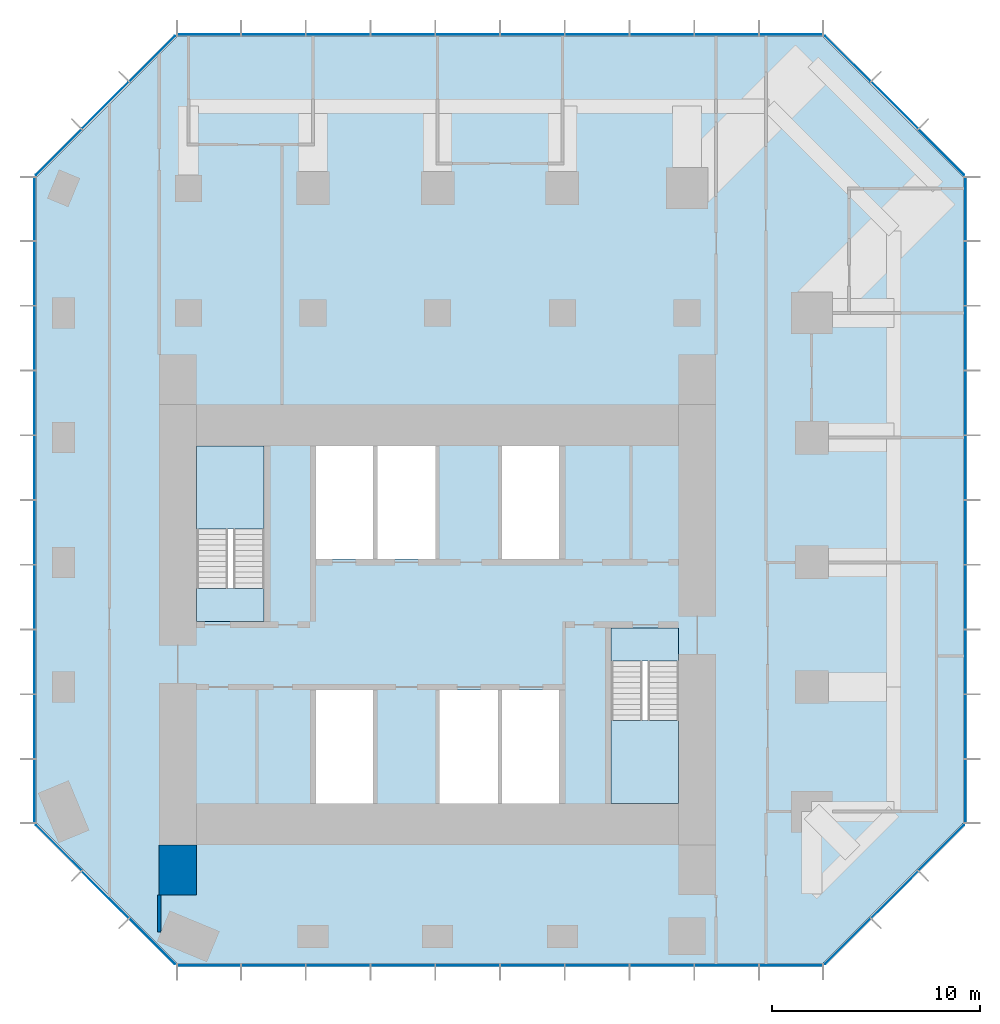
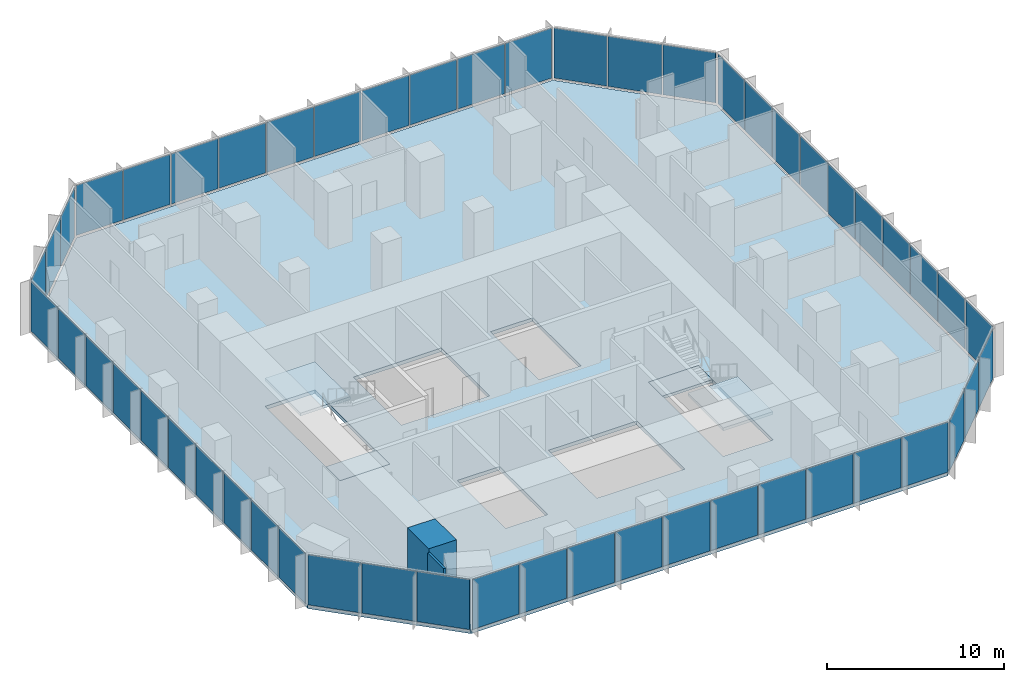
# One storey, part 7 of 11: 52 plates, 5 slabs, 2 walls, 10 elements without a shape of their own.
"""IFC4 building model written with IfcOpenShell, lengths in metres."""

from ifc_helpers import new_model, si_unit, direction, frame, frame_2d, origin, origin_2d, place, context, subcontext, project, spatial, polyline, rectangle, outline, extrude, material, layer, layer_set, type_object, element, aggregate, save


model = new_model("IFC4")

# Units and contexts
model_context = context("Model", 3, precision=1e-05, world=origin(), true_north=direction((0.0, 1.0)))
body_context = subcontext(model_context, "Body", "Model", "MODEL_VIEW")
ifc_project = project(units=[si_unit("LENGTHUNIT", "METRE"), si_unit("AREAUNIT", "SQUARE_METRE"), si_unit("VOLUMEUNIT", "CUBIC_METRE"), si_unit("PLANEANGLEUNIT", "RADIAN"), si_unit("MASSUNIT", "GRAM", prefix="KILO")], contexts=[model_context])

# Site, building, storey
site_placement = place(None, origin())
site = spatial("IfcSite", under=ifc_project, at=site_placement, CompositionType="ELEMENT")
building_placement = place(site_placement, origin())
building = spatial("IfcBuilding", under=site, at=building_placement, Name="Highveld Stack Headquarters", CompositionType="ELEMENT")
storey_placement = place(building_placement, frame((0.0, 0.0, 169.39990234375)))
storey = spatial("IfcBuildingStorey", under=building, at=storey_placement, Name="L41", CompositionType="ELEMENT", Elevation=169.39990234375)

# Curtain wall, plates
ifc_material_1 = material(Name="Aluminium bronze anodised", Category="aluminium")
ifc_layer_1 = layer(ifc_material_1, 0.199951171875)
ifc_layer_set_1 = layer_set([ifc_layer_1], Name="Aluminium bronze anodised")
curtain_wall_type = type_object("IfcCurtainWallType", Name="CW6 SKY LOBBY UNITISED CURTAIN WALL", PredefinedType="NOTDEFINED", material=ifc_layer_set_1)
curtain_wall_1_placement = place(storey_placement, origin())
curtain_wall_1 = element("IfcCurtainWall", 1, at=curtain_wall_1_placement, inside=storey, type_object=curtain_wall_type, Name="Curtain wall CW6 L41 S", PredefinedType="NOTDEFINED")
ifc_material_2 = material(Name="Glass clear low-iron double glazed unit", Category="glass")
ifc_layer_2 = layer(ifc_material_2, 0.031982421875)
ifc_layer_set_2 = layer_set([ifc_layer_2], Name="Glass clear low-iron double glazed unit")
plate_type = type_object("IfcPlateType", Name="CW6 PANEL CLEAR LOW-IRON DOUBLE GLAZED UNIT", PredefinedType="CURTAIN_PANEL", material=ifc_layer_set_2)
plate_1_placement = place(storey_placement, frame((-5.005615234375, -13.39990234375, 0.10009765625), z_axis=(0.0, 0.0, 1.0), x_axis=(1.0, 0.0, 0.0)))
plate_1 = element("IfcPlate", 2, at=plate_1_placement, type_object=plate_type, Name="CW6 panel L41 1.1", PredefinedType="CURTAIN_PANEL", context=body_context, shape_type="SweptSolid", body=[
    extrude(rectangle(XDim=3.0185546875, YDim=0.031982421875, at=origin_2d()), origin(), (0.0, 0.0, 1.0), 3.449951171875),
])
plate_2_placement = place(storey_placement, frame((-1.906005859375, -13.39990234375, 0.10009765625), z_axis=(0.0, 0.0, 1.0), x_axis=(1.0, 0.0, 0.0)))
plate_2 = element("IfcPlate", 3, at=plate_2_placement, type_object=plate_type, Name="CW6 panel L41 2.1", PredefinedType="CURTAIN_PANEL", context=body_context, shape_type="SweptSolid", body=[
    extrude(rectangle(XDim=3.051025390625, YDim=0.031982421875, at=origin_2d()), origin(), (0.0, 0.0, 1.0), 3.449951171875),
])
plate_3_placement = place(storey_placement, frame((1.2099609375, -13.39990234375, 0.10009765625), z_axis=(0.0, 0.0, 1.0), x_axis=(1.0, 0.0, 0.0)))
plate_3 = element("IfcPlate", 4, at=plate_3_placement, type_object=plate_type, Name="CW6 panel L41 3.1", PredefinedType="CURTAIN_PANEL", context=body_context, shape_type="SweptSolid", body=[
    extrude(rectangle(XDim=3.051025390625, YDim=0.031982421875, at=origin_2d()), origin(), (0.0, 0.0, 1.0), 3.449951171875),
])
plate_4_placement = place(storey_placement, frame((4.325927734375, -13.39990234375, 0.10009765625), z_axis=(0.0, 0.0, 1.0), x_axis=(1.0, 0.0, 0.0)))
plate_4 = element("IfcPlate", 5, at=plate_4_placement, type_object=plate_type, Name="CW6 panel L41 4.1", PredefinedType="CURTAIN_PANEL", context=body_context, shape_type="SweptSolid", body=[
    extrude(rectangle(XDim=3.051025390625, YDim=0.031982421875, at=origin_2d()), origin(), (0.0, 0.0, 1.0), 3.449951171875),
])
plate_5_placement = place(storey_placement, frame((7.44189453125, -13.39990234375, 0.10009765625), z_axis=(0.0, 0.0, 1.0), x_axis=(1.0, 0.0, 0.0)))
plate_5 = element("IfcPlate", 6, at=plate_5_placement, type_object=plate_type, Name="CW6 panel L41 5.1", PredefinedType="CURTAIN_PANEL", context=body_context, shape_type="SweptSolid", body=[
    extrude(rectangle(XDim=3.051025390625, YDim=0.031982421875, at=origin_2d()), origin(), (0.0, 0.0, 1.0), 3.449951171875),
])
plate_6_placement = place(storey_placement, frame((10.55810546875, -13.39990234375, 0.10009765625), z_axis=(0.0, 0.0, 1.0), x_axis=(1.0, 0.0, 0.0)))
plate_6 = element("IfcPlate", 7, at=plate_6_placement, type_object=plate_type, Name="CW6 panel L41 6.1", PredefinedType="CURTAIN_PANEL", context=body_context, shape_type="SweptSolid", body=[
    extrude(rectangle(XDim=3.051025390625, YDim=0.031982421875, at=origin_2d()), origin(), (0.0, 0.0, 1.0), 3.449951171875),
])
plate_7_placement = place(storey_placement, frame((13.674072265625, -13.39990234375, 0.10009765625), z_axis=(0.0, 0.0, 1.0), x_axis=(1.0, 0.0, 0.0)))
plate_7 = element("IfcPlate", 8, at=plate_7_placement, type_object=plate_type, Name="CW6 panel L41 7.1", PredefinedType="CURTAIN_PANEL", context=body_context, shape_type="SweptSolid", body=[
    extrude(rectangle(XDim=3.051025390625, YDim=0.031982421875, at=origin_2d()), origin(), (0.0, 0.0, 1.0), 3.449951171875),
])
plate_8_placement = place(storey_placement, frame((16.789794921875, -13.39990234375, 0.10009765625), z_axis=(0.0, 0.0, 1.0), x_axis=(1.0, 0.0, 0.0)))
plate_8 = element("IfcPlate", 9, at=plate_8_placement, type_object=plate_type, Name="CW6 panel L41 8.1", PredefinedType="CURTAIN_PANEL", context=body_context, shape_type="SweptSolid", body=[
    extrude(rectangle(XDim=3.051025390625, YDim=0.031982421875, at=origin_2d()), origin(), (0.0, 0.0, 1.0), 3.449951171875),
])
plate_9_placement = place(storey_placement, frame((19.906005859375, -13.39990234375, 0.10009765625), z_axis=(0.0, 0.0, 1.0), x_axis=(1.0, 0.0, 0.0)))
plate_9 = element("IfcPlate", 10, at=plate_9_placement, type_object=plate_type, Name="CW6 panel L41 9.1", PredefinedType="CURTAIN_PANEL", context=body_context, shape_type="SweptSolid", body=[
    extrude(rectangle(XDim=3.051025390625, YDim=0.031982421875, at=origin_2d()), origin(), (0.0, 0.0, 1.0), 3.449951171875),
])
plate_10_placement = place(storey_placement, frame((23.005615234375, -13.39990234375, 0.10009765625), z_axis=(0.0, 0.0, 1.0), x_axis=(1.0, 0.0, 0.0)))
plate_10 = element("IfcPlate", 11, at=plate_10_placement, type_object=plate_type, Name="CW6 panel L41 10.1", PredefinedType="CURTAIN_PANEL", context=body_context, shape_type="SweptSolid", body=[
    extrude(rectangle(XDim=3.0185546875, YDim=0.031982421875, at=origin_2d()), origin(), (0.0, 0.0, 1.0), 3.449951171875),
])
aggregate(curtain_wall_1, [plate_1, plate_2, plate_3, plate_4, plate_5, plate_6, plate_7, plate_8, plate_9, plate_10])

curtain_wall_2_placement = place(storey_placement, origin())
curtain_wall_2 = element("IfcCurtainWall", 12, at=curtain_wall_2_placement, inside=storey, type_object=curtain_wall_type, Name="Curtain wall CW6 L41 SE", PredefinedType="NOTDEFINED")
plate_11_placement = place(storey_placement, frame((25.740478515625, -12.239501953125, 0.10009765625), z_axis=(0.0, 0.0, 1.0), x_axis=(0.707106781187, 0.707106781187, 0.0)))
plate_11 = element("IfcPlate", 13, at=plate_11_placement, type_object=plate_type, Name="CW6 panel L41 1.1", PredefinedType="CURTAIN_PANEL", context=body_context, shape_type="SweptSolid", body=[
    extrude(rectangle(XDim=3.08251953125, YDim=0.031982421875, at=origin_2d()), origin(), (0.0, 0.0, 1.0), 3.449951171875),
])
plate_12_placement = place(storey_placement, frame((27.989990234375, -9.989990234375, 0.10009765625), z_axis=(0.0, 0.0, 1.0), x_axis=(0.707106781187, 0.707106781187, 0.0)))
plate_12 = element("IfcPlate", 14, at=plate_12_placement, type_object=plate_type, Name="CW6 panel L41 2.1", PredefinedType="CURTAIN_PANEL", context=body_context, shape_type="SweptSolid", body=[
    extrude(rectangle(XDim=3.14990234375, YDim=0.031982421875, at=origin_2d()), origin(), (0.0, 0.0, 1.0), 3.449951171875),
])
plate_13_placement = place(storey_placement, frame((30.239501953125, -7.740478515625, 0.10009765625), z_axis=(0.0, 0.0, 1.0), x_axis=(0.707106781187, 0.707106781187, 0.0)))
plate_13 = element("IfcPlate", 15, at=plate_13_placement, type_object=plate_type, Name="CW6 panel L41 3.1", PredefinedType="CURTAIN_PANEL", context=body_context, shape_type="SweptSolid", body=[
    extrude(rectangle(XDim=3.08251953125, YDim=0.031982421875, at=origin_2d()), origin(), (0.0, 0.0, 1.0), 3.449951171875),
])
aggregate(curtain_wall_2, [plate_11, plate_12, plate_13])

curtain_wall_3_placement = place(storey_placement, origin())
curtain_wall_3 = element("IfcCurtainWall", 16, at=curtain_wall_3_placement, inside=storey, type_object=curtain_wall_type, Name="Curtain wall CW6 L41 E", PredefinedType="NOTDEFINED")
plate_14_placement = place(storey_placement, frame((31.39990234375, -5.005615234375, 0.10009765625), z_axis=(0.0, 0.0, 1.0), x_axis=(0.0, 1.0, 0.0)))
plate_14 = element("IfcPlate", 17, at=plate_14_placement, type_object=plate_type, Name="CW6 panel L41 1.1", PredefinedType="CURTAIN_PANEL", context=body_context, shape_type="SweptSolid", body=[
    extrude(rectangle(XDim=3.0185546875, YDim=0.031982421875, at=origin_2d()), origin(), (0.0, 0.0, 1.0), 3.449951171875),
])
plate_15_placement = place(storey_placement, frame((31.39990234375, -1.906005859375, 0.10009765625), z_axis=(0.0, 0.0, 1.0), x_axis=(0.0, 1.0, 0.0)))
plate_15 = element("IfcPlate", 18, at=plate_15_placement, type_object=plate_type, Name="CW6 panel L41 2.1", PredefinedType="CURTAIN_PANEL", context=body_context, shape_type="SweptSolid", body=[
    extrude(rectangle(XDim=3.051025390625, YDim=0.031982421875, at=origin_2d()), origin(), (0.0, 0.0, 1.0), 3.449951171875),
])
plate_16_placement = place(storey_placement, frame((31.39990234375, 1.2099609375, 0.10009765625), z_axis=(0.0, 0.0, 1.0), x_axis=(0.0, 1.0, 0.0)))
plate_16 = element("IfcPlate", 19, at=plate_16_placement, type_object=plate_type, Name="CW6 panel L41 3.1", PredefinedType="CURTAIN_PANEL", context=body_context, shape_type="SweptSolid", body=[
    extrude(rectangle(XDim=3.051025390625, YDim=0.031982421875, at=origin_2d()), origin(), (0.0, 0.0, 1.0), 3.449951171875),
])
plate_17_placement = place(storey_placement, frame((31.39990234375, 4.325927734375, 0.10009765625), z_axis=(0.0, 0.0, 1.0), x_axis=(0.0, 1.0, 0.0)))
plate_17 = element("IfcPlate", 20, at=plate_17_placement, type_object=plate_type, Name="CW6 panel L41 4.1", PredefinedType="CURTAIN_PANEL", context=body_context, shape_type="SweptSolid", body=[
    extrude(rectangle(XDim=3.051025390625, YDim=0.031982421875, at=origin_2d()), origin(), (0.0, 0.0, 1.0), 3.449951171875),
])
plate_18_placement = place(storey_placement, frame((31.39990234375, 7.44189453125, 0.10009765625), z_axis=(0.0, 0.0, 1.0), x_axis=(0.0, 1.0, 0.0)))
plate_18 = element("IfcPlate", 21, at=plate_18_placement, type_object=plate_type, Name="CW6 panel L41 5.1", PredefinedType="CURTAIN_PANEL", context=body_context, shape_type="SweptSolid", body=[
    extrude(rectangle(XDim=3.051025390625, YDim=0.031982421875, at=origin_2d()), origin(), (0.0, 0.0, 1.0), 3.449951171875),
])
plate_19_placement = place(storey_placement, frame((31.39990234375, 10.55810546875, 0.10009765625), z_axis=(0.0, 0.0, 1.0), x_axis=(0.0, 1.0, 0.0)))
plate_19 = element("IfcPlate", 22, at=plate_19_placement, type_object=plate_type, Name="CW6 panel L41 6.1", PredefinedType="CURTAIN_PANEL", context=body_context, shape_type="SweptSolid", body=[
    extrude(rectangle(XDim=3.051025390625, YDim=0.031982421875, at=origin_2d()), origin(), (0.0, 0.0, 1.0), 3.449951171875),
])
plate_20_placement = place(storey_placement, frame((31.39990234375, 13.674072265625, 0.10009765625), z_axis=(0.0, 0.0, 1.0), x_axis=(0.0, 1.0, 0.0)))
plate_20 = element("IfcPlate", 23, at=plate_20_placement, type_object=plate_type, Name="CW6 panel L41 7.1", PredefinedType="CURTAIN_PANEL", context=body_context, shape_type="SweptSolid", body=[
    extrude(rectangle(XDim=3.051025390625, YDim=0.031982421875, at=origin_2d()), origin(), (0.0, 0.0, 1.0), 3.449951171875),
])
plate_21_placement = place(storey_placement, frame((31.39990234375, 16.789794921875, 0.10009765625), z_axis=(0.0, 0.0, 1.0), x_axis=(0.0, 1.0, 0.0)))
plate_21 = element("IfcPlate", 24, at=plate_21_placement, type_object=plate_type, Name="CW6 panel L41 8.1", PredefinedType="CURTAIN_PANEL", context=body_context, shape_type="SweptSolid", body=[
    extrude(rectangle(XDim=3.051025390625, YDim=0.031982421875, at=origin_2d()), origin(), (0.0, 0.0, 1.0), 3.449951171875),
])
plate_22_placement = place(storey_placement, frame((31.39990234375, 19.906005859375, 0.10009765625), z_axis=(0.0, 0.0, 1.0), x_axis=(0.0, 1.0, 0.0)))
plate_22 = element("IfcPlate", 25, at=plate_22_placement, type_object=plate_type, Name="CW6 panel L41 9.1", PredefinedType="CURTAIN_PANEL", context=body_context, shape_type="SweptSolid", body=[
    extrude(rectangle(XDim=3.051025390625, YDim=0.031982421875, at=origin_2d()), origin(), (0.0, 0.0, 1.0), 3.449951171875),
])
plate_23_placement = place(storey_placement, frame((31.39990234375, 23.005615234375, 0.10009765625), z_axis=(0.0, 0.0, 1.0), x_axis=(0.0, 1.0, 0.0)))
plate_23 = element("IfcPlate", 26, at=plate_23_placement, type_object=plate_type, Name="CW6 panel L41 10.1", PredefinedType="CURTAIN_PANEL", context=body_context, shape_type="SweptSolid", body=[
    extrude(rectangle(XDim=3.0185546875, YDim=0.031982421875, at=origin_2d()), origin(), (0.0, 0.0, 1.0), 3.449951171875),
])
aggregate(curtain_wall_3, [plate_14, plate_15, plate_16, plate_17, plate_18, plate_19, plate_20, plate_21, plate_22, plate_23])

curtain_wall_4_placement = place(storey_placement, origin())
curtain_wall_4 = element("IfcCurtainWall", 27, at=curtain_wall_4_placement, inside=storey, type_object=curtain_wall_type, Name="Curtain wall CW6 L41 NE", PredefinedType="NOTDEFINED")
plate_24_placement = place(storey_placement, frame((30.239501953125, 25.740478515625, 0.10009765625), z_axis=(0.0, 0.0, 1.0), x_axis=(-0.707106781187, 0.707106781187, 0.0)))
plate_24 = element("IfcPlate", 28, at=plate_24_placement, type_object=plate_type, Name="CW6 panel L41 1.1", PredefinedType="CURTAIN_PANEL", context=body_context, shape_type="SweptSolid", body=[
    extrude(rectangle(XDim=3.08251953125, YDim=0.031982421875, at=origin_2d()), origin(), (0.0, 0.0, 1.0), 3.449951171875),
])
plate_25_placement = place(storey_placement, frame((27.989990234375, 27.989990234375, 0.10009765625), z_axis=(0.0, 0.0, 1.0), x_axis=(-0.707106781187, 0.707106781187, 0.0)))
plate_25 = element("IfcPlate", 29, at=plate_25_placement, type_object=plate_type, Name="CW6 panel L41 2.1", PredefinedType="CURTAIN_PANEL", context=body_context, shape_type="SweptSolid", body=[
    extrude(rectangle(XDim=3.14990234375, YDim=0.031982421875, at=origin_2d()), origin(), (0.0, 0.0, 1.0), 3.449951171875),
])
plate_26_placement = place(storey_placement, frame((25.740478515625, 30.239501953125, 0.10009765625), z_axis=(0.0, 0.0, 1.0), x_axis=(-0.707106781187, 0.707106781187, 0.0)))
plate_26 = element("IfcPlate", 30, at=plate_26_placement, type_object=plate_type, Name="CW6 panel L41 3.1", PredefinedType="CURTAIN_PANEL", context=body_context, shape_type="SweptSolid", body=[
    extrude(rectangle(XDim=3.08251953125, YDim=0.031982421875, at=origin_2d()), origin(), (0.0, 0.0, 1.0), 3.449951171875),
])
aggregate(curtain_wall_4, [plate_24, plate_25, plate_26])

curtain_wall_5_placement = place(storey_placement, origin())
curtain_wall_5 = element("IfcCurtainWall", 31, at=curtain_wall_5_placement, inside=storey, type_object=curtain_wall_type, Name="Curtain wall CW6 L41 N", PredefinedType="NOTDEFINED")
plate_27_placement = place(storey_placement, frame((23.005615234375, 31.39990234375, 0.10009765625), z_axis=(0.0, 0.0, 1.0), x_axis=(-1.0, 0.0, 0.0)))
plate_27 = element("IfcPlate", 32, at=plate_27_placement, type_object=plate_type, Name="CW6 panel L41 1.1", PredefinedType="CURTAIN_PANEL", context=body_context, shape_type="SweptSolid", body=[
    extrude(rectangle(XDim=3.0185546875, YDim=0.031982421875, at=origin_2d()), origin(), (0.0, 0.0, 1.0), 3.449951171875),
])
plate_28_placement = place(storey_placement, frame((19.906005859375, 31.39990234375, 0.10009765625), z_axis=(0.0, 0.0, 1.0), x_axis=(-1.0, 0.0, 0.0)))
plate_28 = element("IfcPlate", 33, at=plate_28_placement, type_object=plate_type, Name="CW6 panel L41 2.1", PredefinedType="CURTAIN_PANEL", context=body_context, shape_type="SweptSolid", body=[
    extrude(rectangle(XDim=3.051025390625, YDim=0.031982421875, at=origin_2d()), origin(), (0.0, 0.0, 1.0), 3.449951171875),
])
plate_29_placement = place(storey_placement, frame((16.7900390625, 31.39990234375, 0.10009765625), z_axis=(0.0, 0.0, 1.0), x_axis=(-1.0, 0.0, 0.0)))
plate_29 = element("IfcPlate", 34, at=plate_29_placement, type_object=plate_type, Name="CW6 panel L41 3.1", PredefinedType="CURTAIN_PANEL", context=body_context, shape_type="SweptSolid", body=[
    extrude(rectangle(XDim=3.051025390625, YDim=0.031982421875, at=origin_2d()), origin(), (0.0, 0.0, 1.0), 3.449951171875),
])
plate_30_placement = place(storey_placement, frame((13.674072265625, 31.39990234375, 0.10009765625), z_axis=(0.0, 0.0, 1.0), x_axis=(-1.0, 0.0, 0.0)))
plate_30 = element("IfcPlate", 35, at=plate_30_placement, type_object=plate_type, Name="CW6 panel L41 4.1", PredefinedType="CURTAIN_PANEL", context=body_context, shape_type="SweptSolid", body=[
    extrude(rectangle(XDim=3.051025390625, YDim=0.031982421875, at=origin_2d()), origin(), (0.0, 0.0, 1.0), 3.449951171875),
])
plate_31_placement = place(storey_placement, frame((10.55810546875, 31.39990234375, 0.10009765625), z_axis=(0.0, 0.0, 1.0), x_axis=(-1.0, 0.0, 0.0)))
plate_31 = element("IfcPlate", 36, at=plate_31_placement, type_object=plate_type, Name="CW6 panel L41 5.1", PredefinedType="CURTAIN_PANEL", context=body_context, shape_type="SweptSolid", body=[
    extrude(rectangle(XDim=3.051025390625, YDim=0.031982421875, at=origin_2d()), origin(), (0.0, 0.0, 1.0), 3.449951171875),
])
plate_32_placement = place(storey_placement, frame((7.44189453125, 31.39990234375, 0.10009765625), z_axis=(0.0, 0.0, 1.0), x_axis=(-1.0, 0.0, 0.0)))
plate_32 = element("IfcPlate", 37, at=plate_32_placement, type_object=plate_type, Name="CW6 panel L41 6.1", PredefinedType="CURTAIN_PANEL", context=body_context, shape_type="SweptSolid", body=[
    extrude(rectangle(XDim=3.051025390625, YDim=0.031982421875, at=origin_2d()), origin(), (0.0, 0.0, 1.0), 3.449951171875),
])
plate_33_placement = place(storey_placement, frame((4.325927734375, 31.39990234375, 0.10009765625), z_axis=(0.0, 0.0, 1.0), x_axis=(-1.0, 0.0, 0.0)))
plate_33 = element("IfcPlate", 38, at=plate_33_placement, type_object=plate_type, Name="CW6 panel L41 7.1", PredefinedType="CURTAIN_PANEL", context=body_context, shape_type="SweptSolid", body=[
    extrude(rectangle(XDim=3.051025390625, YDim=0.031982421875, at=origin_2d()), origin(), (0.0, 0.0, 1.0), 3.449951171875),
])
plate_34_placement = place(storey_placement, frame((1.210205078125, 31.39990234375, 0.10009765625), z_axis=(0.0, 0.0, 1.0), x_axis=(-1.0, 0.0, 0.0)))
plate_34 = element("IfcPlate", 39, at=plate_34_placement, type_object=plate_type, Name="CW6 panel L41 8.1", PredefinedType="CURTAIN_PANEL", context=body_context, shape_type="SweptSolid", body=[
    extrude(rectangle(XDim=3.051025390625, YDim=0.031982421875, at=origin_2d()), origin(), (0.0, 0.0, 1.0), 3.449951171875),
])
plate_35_placement = place(storey_placement, frame((-1.906005859375, 31.39990234375, 0.10009765625), z_axis=(0.0, 0.0, 1.0), x_axis=(-1.0, 0.0, 0.0)))
plate_35 = element("IfcPlate", 40, at=plate_35_placement, type_object=plate_type, Name="CW6 panel L41 9.1", PredefinedType="CURTAIN_PANEL", context=body_context, shape_type="SweptSolid", body=[
    extrude(rectangle(XDim=3.051025390625, YDim=0.031982421875, at=origin_2d()), origin(), (0.0, 0.0, 1.0), 3.449951171875),
])
plate_36_placement = place(storey_placement, frame((-5.005615234375, 31.39990234375, 0.10009765625), z_axis=(0.0, 0.0, 1.0), x_axis=(-1.0, 0.0, 0.0)))
plate_36 = element("IfcPlate", 41, at=plate_36_placement, type_object=plate_type, Name="CW6 panel L41 10.1", PredefinedType="CURTAIN_PANEL", context=body_context, shape_type="SweptSolid", body=[
    extrude(rectangle(XDim=3.0185546875, YDim=0.031982421875, at=origin_2d()), origin(), (0.0, 0.0, 1.0), 3.449951171875),
])
aggregate(curtain_wall_5, [plate_27, plate_28, plate_29, plate_30, plate_31, plate_32, plate_33, plate_34, plate_35, plate_36])

curtain_wall_6_placement = place(storey_placement, origin())
curtain_wall_6 = element("IfcCurtainWall", 42, at=curtain_wall_6_placement, inside=storey, type_object=curtain_wall_type, Name="Curtain wall CW6 L41 NW", PredefinedType="NOTDEFINED")
plate_37_placement = place(storey_placement, frame((-7.740478515625, 30.239501953125, 0.10009765625), z_axis=(0.0, 0.0, 1.0), x_axis=(-0.707106781187, -0.707106781187, 0.0)))
plate_37 = element("IfcPlate", 43, at=plate_37_placement, type_object=plate_type, Name="CW6 panel L41 1.1", PredefinedType="CURTAIN_PANEL", context=body_context, shape_type="SweptSolid", body=[
    extrude(rectangle(XDim=3.08251953125, YDim=0.031982421875, at=origin_2d()), origin(), (0.0, 0.0, 1.0), 3.449951171875),
])
plate_38_placement = place(storey_placement, frame((-9.989990234375, 27.989990234375, 0.10009765625), z_axis=(0.0, 0.0, 1.0), x_axis=(-0.707106781187, -0.707106781187, 0.0)))
plate_38 = element("IfcPlate", 44, at=plate_38_placement, type_object=plate_type, Name="CW6 panel L41 2.1", PredefinedType="CURTAIN_PANEL", context=body_context, shape_type="SweptSolid", body=[
    extrude(rectangle(XDim=3.14990234375, YDim=0.031982421875, at=origin_2d()), origin(), (0.0, 0.0, 1.0), 3.449951171875),
])
plate_39_placement = place(storey_placement, frame((-12.239501953125, 25.740478515625, 0.10009765625), z_axis=(0.0, 0.0, 1.0), x_axis=(-0.707106781187, -0.707106781187, 0.0)))
plate_39 = element("IfcPlate", 45, at=plate_39_placement, type_object=plate_type, Name="CW6 panel L41 3.1", PredefinedType="CURTAIN_PANEL", context=body_context, shape_type="SweptSolid", body=[
    extrude(rectangle(XDim=3.08251953125, YDim=0.031982421875, at=origin_2d()), origin(), (0.0, 0.0, 1.0), 3.449951171875),
])
aggregate(curtain_wall_6, [plate_37, plate_38, plate_39])

curtain_wall_7_placement = place(storey_placement, origin())
curtain_wall_7 = element("IfcCurtainWall", 46, at=curtain_wall_7_placement, inside=storey, type_object=curtain_wall_type, Name="Curtain wall CW6 L41 W", PredefinedType="NOTDEFINED")
plate_40_placement = place(storey_placement, frame((-13.39990234375, 23.005615234375, 0.10009765625), z_axis=(0.0, 0.0, 1.0), x_axis=(0.0, -1.0, 0.0)))
plate_40 = element("IfcPlate", 47, at=plate_40_placement, type_object=plate_type, Name="CW6 panel L41 1.1", PredefinedType="CURTAIN_PANEL", context=body_context, shape_type="SweptSolid", body=[
    extrude(rectangle(XDim=3.0185546875, YDim=0.031982421875, at=origin_2d()), origin(), (0.0, 0.0, 1.0), 3.449951171875),
])
plate_41_placement = place(storey_placement, frame((-13.39990234375, 19.906005859375, 0.10009765625), z_axis=(0.0, 0.0, 1.0), x_axis=(0.0, -1.0, 0.0)))
plate_41 = element("IfcPlate", 48, at=plate_41_placement, type_object=plate_type, Name="CW6 panel L41 2.1", PredefinedType="CURTAIN_PANEL", context=body_context, shape_type="SweptSolid", body=[
    extrude(rectangle(XDim=3.051025390625, YDim=0.031982421875, at=origin_2d()), origin(), (0.0, 0.0, 1.0), 3.449951171875),
])
plate_42_placement = place(storey_placement, frame((-13.39990234375, 16.7900390625, 0.10009765625), z_axis=(0.0, 0.0, 1.0), x_axis=(0.0, -1.0, 0.0)))
plate_42 = element("IfcPlate", 49, at=plate_42_placement, type_object=plate_type, Name="CW6 panel L41 3.1", PredefinedType="CURTAIN_PANEL", context=body_context, shape_type="SweptSolid", body=[
    extrude(rectangle(XDim=3.051025390625, YDim=0.031982421875, at=origin_2d()), origin(), (0.0, 0.0, 1.0), 3.449951171875),
])
plate_43_placement = place(storey_placement, frame((-13.39990234375, 13.674072265625, 0.10009765625), z_axis=(0.0, 0.0, 1.0), x_axis=(0.0, -1.0, 0.0)))
plate_43 = element("IfcPlate", 50, at=plate_43_placement, type_object=plate_type, Name="CW6 panel L41 4.1", PredefinedType="CURTAIN_PANEL", context=body_context, shape_type="SweptSolid", body=[
    extrude(rectangle(XDim=3.051025390625, YDim=0.031982421875, at=origin_2d()), origin(), (0.0, 0.0, 1.0), 3.449951171875),
])
plate_44_placement = place(storey_placement, frame((-13.39990234375, 10.55810546875, 0.10009765625), z_axis=(0.0, 0.0, 1.0), x_axis=(0.0, -1.0, 0.0)))
plate_44 = element("IfcPlate", 51, at=plate_44_placement, type_object=plate_type, Name="CW6 panel L41 5.1", PredefinedType="CURTAIN_PANEL", context=body_context, shape_type="SweptSolid", body=[
    extrude(rectangle(XDim=3.051025390625, YDim=0.031982421875, at=origin_2d()), origin(), (0.0, 0.0, 1.0), 3.449951171875),
])
plate_45_placement = place(storey_placement, frame((-13.39990234375, 7.44189453125, 0.10009765625), z_axis=(0.0, 0.0, 1.0), x_axis=(0.0, -1.0, 0.0)))
plate_45 = element("IfcPlate", 52, at=plate_45_placement, type_object=plate_type, Name="CW6 panel L41 6.1", PredefinedType="CURTAIN_PANEL", context=body_context, shape_type="SweptSolid", body=[
    extrude(rectangle(XDim=3.051025390625, YDim=0.031982421875, at=origin_2d()), origin(), (0.0, 0.0, 1.0), 3.449951171875),
])
plate_46_placement = place(storey_placement, frame((-13.39990234375, 4.325927734375, 0.10009765625), z_axis=(0.0, 0.0, 1.0), x_axis=(0.0, -1.0, 0.0)))
plate_46 = element("IfcPlate", 53, at=plate_46_placement, type_object=plate_type, Name="CW6 panel L41 7.1", PredefinedType="CURTAIN_PANEL", context=body_context, shape_type="SweptSolid", body=[
    extrude(rectangle(XDim=3.051025390625, YDim=0.031982421875, at=origin_2d()), origin(), (0.0, 0.0, 1.0), 3.449951171875),
])
plate_47_placement = place(storey_placement, frame((-13.39990234375, 1.210205078125, 0.10009765625), z_axis=(0.0, 0.0, 1.0), x_axis=(0.0, -1.0, 0.0)))
plate_47 = element("IfcPlate", 54, at=plate_47_placement, type_object=plate_type, Name="CW6 panel L41 8.1", PredefinedType="CURTAIN_PANEL", context=body_context, shape_type="SweptSolid", body=[
    extrude(rectangle(XDim=3.051025390625, YDim=0.031982421875, at=origin_2d()), origin(), (0.0, 0.0, 1.0), 3.449951171875),
])
plate_48_placement = place(storey_placement, frame((-13.39990234375, -1.906005859375, 0.10009765625), z_axis=(0.0, 0.0, 1.0), x_axis=(0.0, -1.0, 0.0)))
plate_48 = element("IfcPlate", 55, at=plate_48_placement, type_object=plate_type, Name="CW6 panel L41 9.1", PredefinedType="CURTAIN_PANEL", context=body_context, shape_type="SweptSolid", body=[
    extrude(rectangle(XDim=3.051025390625, YDim=0.031982421875, at=origin_2d()), origin(), (0.0, 0.0, 1.0), 3.449951171875),
])
plate_49_placement = place(storey_placement, frame((-13.39990234375, -5.005615234375, 0.10009765625), z_axis=(0.0, 0.0, 1.0), x_axis=(0.0, -1.0, 0.0)))
plate_49 = element("IfcPlate", 56, at=plate_49_placement, type_object=plate_type, Name="CW6 panel L41 10.1", PredefinedType="CURTAIN_PANEL", context=body_context, shape_type="SweptSolid", body=[
    extrude(rectangle(XDim=3.0185546875, YDim=0.031982421875, at=origin_2d()), origin(), (0.0, 0.0, 1.0), 3.449951171875),
])
aggregate(curtain_wall_7, [plate_40, plate_41, plate_42, plate_43, plate_44, plate_45, plate_46, plate_47, plate_48, plate_49])

curtain_wall_8_placement = place(storey_placement, origin())
curtain_wall_8 = element("IfcCurtainWall", 57, at=curtain_wall_8_placement, inside=storey, type_object=curtain_wall_type, Name="Curtain wall CW6 L41 SW", PredefinedType="NOTDEFINED")
plate_50_placement = place(storey_placement, frame((-12.239501953125, -7.740478515625, 0.10009765625), z_axis=(0.0, 0.0, 1.0), x_axis=(0.707106781187, -0.707106781187, 0.0)))
plate_50 = element("IfcPlate", 58, at=plate_50_placement, type_object=plate_type, Name="CW6 panel L41 1.1", PredefinedType="CURTAIN_PANEL", context=body_context, shape_type="SweptSolid", body=[
    extrude(rectangle(XDim=3.08251953125, YDim=0.031982421875, at=origin_2d()), origin(), (0.0, 0.0, 1.0), 3.449951171875),
])
plate_51_placement = place(storey_placement, frame((-9.989990234375, -9.989990234375, 0.10009765625), z_axis=(0.0, 0.0, 1.0), x_axis=(0.707106781187, -0.707106781187, 0.0)))
plate_51 = element("IfcPlate", 59, at=plate_51_placement, type_object=plate_type, Name="CW6 panel L41 2.1", PredefinedType="CURTAIN_PANEL", context=body_context, shape_type="SweptSolid", body=[
    extrude(rectangle(XDim=3.14990234375, YDim=0.031982421875, at=origin_2d()), origin(), (0.0, 0.0, 1.0), 3.449951171875),
])
plate_52_placement = place(storey_placement, frame((-7.740478515625, -12.239501953125, 0.10009765625), z_axis=(0.0, 0.0, 1.0), x_axis=(0.707106781187, -0.707106781187, 0.0)))
plate_52 = element("IfcPlate", 60, at=plate_52_placement, type_object=plate_type, Name="CW6 panel L41 3.1", PredefinedType="CURTAIN_PANEL", context=body_context, shape_type="SweptSolid", body=[
    extrude(rectangle(XDim=3.08251953125, YDim=0.031982421875, at=origin_2d()), origin(), (0.0, 0.0, 1.0), 3.449951171875),
])
aggregate(curtain_wall_8, [plate_50, plate_51, plate_52])

# Slab
ifc_material_3 = material(Name="Concrete C60/75", Category="concrete")
ifc_layer_3 = layer(ifc_material_3, 0.25)
ifc_layer_set_3 = layer_set([ifc_layer_3], Name="Concrete C60/75")
slab_type_1 = type_object("IfcSlabType", Name="PT FLAT SLAB 250", PredefinedType="FLOOR", material=ifc_layer_set_3)
slab_1_placement = place(storey_placement, frame((0.0, 0.0, -0.25)))
element("IfcSlab", 61, at=slab_1_placement, inside=storey, type_object=slab_type_1, Name="Floor slab L41", PredefinedType="FLOOR", context=body_context, shape_type="SweptSolid", body=[
    extrude(outline(polyline([(-6.53857421875, -13.300048828125), (24.53857421875, -13.300048828125), (31.300048828125, -6.53857421875), (31.300048828125, 24.53857421875), (24.53857421875, 31.300048828125), (-6.53857421875, 31.300048828125), (-13.300048828125, 24.53857421875), (-13.300048828125, -6.53857421875), (-6.53857421875, -13.300048828125)]), holes=[polyline([(0.14990234375, 6.14990234375), (5.89990234375, 6.14990234375), (5.89990234375, 11.60009765625), (0.14990234375, 11.60009765625), (0.14990234375, 6.14990234375)]), polyline([(9.10009765625, 6.14990234375), (11.85009765625, 6.14990234375), (11.85009765625, 11.60009765625), (9.10009765625, 11.60009765625), (9.10009765625, 6.14990234375)]), polyline([(6.10009765625, -5.60009765625), (11.85009765625, -5.60009765625), (11.85009765625, -0.14990234375), (6.10009765625, -0.14990234375), (6.10009765625, -5.60009765625)]), polyline([(0.14990234375, -5.60009765625), (2.89990234375, -5.60009765625), (2.89990234375, -0.14990234375), (0.14990234375, -0.14990234375), (0.14990234375, -5.60009765625)]), polyline([(-5.60009765625, 3.14990234375), (-2.35009765625, 3.14990234375), (-2.35009765625, 11.60009765625), (-5.60009765625, 11.60009765625), (-5.60009765625, 3.14990234375)]), polyline([(14.35009765625, -5.60009765625), (17.60009765625, -5.60009765625), (17.60009765625, 2.85009765625), (14.35009765625, 2.85009765625), (14.35009765625, -5.60009765625)])]), origin(), (0.0, 0.0, 1.0), 0.25),
])

# Stair, slabs
ifc_material_4 = material(Name="Concrete C40/50, precast", Category="concrete")
stair_type_1 = type_object("IfcStairType", Name="STAIR S1 HALF TURN 1500", PredefinedType="HALF_TURN_STAIR", material=ifc_material_4)
stair_1_placement = place(storey_placement, origin())
stair_1 = element("IfcStair", 62, at=stair_1_placement, inside=storey, type_object=stair_type_1, Name="Stair S1 L41", PredefinedType="HALF_TURN_STAIR")
ifc_material_5 = material(Name="Concrete C40/50, precast", Category="concrete")
ifc_layer_4 = layer(ifc_material_5, 0.199951171875)
ifc_layer_set_4 = layer_set([ifc_layer_4], Name="Concrete C40/50, precast")
slab_type_2 = type_object("IfcSlabType", Name="STAIR LANDING 200", PredefinedType="LANDING", material=ifc_layer_set_4)
slab_2_placement = place(storey_placement, frame((0.0, 0.0, 1.75)))
slab_2 = element("IfcSlab", 63, at=slab_2_placement, type_object=slab_type_2, Name="S1 landing 1", PredefinedType="LANDING", context=body_context, shape_type="SweptSolid", body=[
    extrude(outline(polyline([(-5.60009765625, 7.610107421875), (-2.35009765625, 7.610107421875), (-2.35009765625, 11.60009765625), (-5.60009765625, 11.60009765625), (-5.60009765625, 7.610107421875)])), origin(), (0.0, 0.0, 1.0), 0.2001953125),
])
slab_3_placement = place(storey_placement, frame((0.0, 0.0, -0.199951171875)))
slab_3 = element("IfcSlab", 64, at=slab_3_placement, type_object=slab_type_2, Name="S1 landing 2", PredefinedType="LANDING", context=body_context, shape_type="SweptSolid", body=[
    extrude(outline(polyline([(-5.60009765625, 3.14990234375), (-2.35009765625, 3.14990234375), (-2.35009765625, 4.75), (-5.60009765625, 4.75), (-5.60009765625, 3.14990234375)])), origin(), (0.0, 0.0, 1.0), 0.199951171875),
])
aggregate(stair_1, [slab_2, slab_3])

ifc_material_6 = material(Name="Concrete C40/50, precast", Category="concrete")
stair_type_2 = type_object("IfcStairType", Name="STAIR S2 HALF TURN 1500", PredefinedType="HALF_TURN_STAIR", material=ifc_material_6)
stair_2_placement = place(storey_placement, origin())
stair_2 = element("IfcStair", 65, at=stair_2_placement, inside=storey, type_object=stair_type_2, Name="Stair S2 L41", PredefinedType="HALF_TURN_STAIR")
slab_4_placement = place(storey_placement, frame((0.0, 0.0, 1.75)))
slab_4 = element("IfcSlab", 66, at=slab_4_placement, type_object=slab_type_2, Name="S2 landing 1", PredefinedType="LANDING", context=body_context, shape_type="SweptSolid", body=[
    extrude(outline(polyline([(14.35009765625, -5.60009765625), (17.60009765625, -5.60009765625), (17.60009765625, -1.610107421875), (14.35009765625, -1.610107421875), (14.35009765625, -5.60009765625)])), origin(), (0.0, 0.0, 1.0), 0.2001953125),
])
slab_5_placement = place(storey_placement, frame((0.0, 0.0, -0.199951171875)))
slab_5 = element("IfcSlab", 67, at=slab_5_placement, type_object=slab_type_2, Name="S2 landing 2", PredefinedType="LANDING", context=body_context, shape_type="SweptSolid", body=[
    extrude(outline(polyline([(14.35009765625, 1.25), (17.60009765625, 1.25), (17.60009765625, 2.85009765625), (14.35009765625, 2.85009765625), (14.35009765625, 1.25)])), origin(), (0.0, 0.0, 1.0), 0.199951171875),
])
aggregate(stair_2, [slab_4, slab_5])

# Walls
ifc_material_7 = material(Name="Concrete C60/75", Category="concrete")
ifc_layer_5 = layer(ifc_material_7, 1.800048828125)
ifc_layer_set_5 = layer_set([ifc_layer_5], Name="Concrete C60/75")
wall_type_1 = type_object("IfcWallType", Name="CORE WING WALL 1800 C60/75", PredefinedType="SHEAR", material=ifc_layer_set_5)
wall_1_placement = place(storey_placement, frame((-6.5, -10.0, 0.0), z_axis=(0.0, 0.0, 1.0), x_axis=(0.0, 1.0, 0.0)))
element("IfcWall", 68, at=wall_1_placement, inside=storey, type_object=wall_type_1, Name="Core wing wall WS L41", PredefinedType="SHEAR", context=body_context, shape_type="SweptSolid", body=[
    extrude(rectangle(XDim=2.39990234375, YDim=1.800048828125, at=frame_2d((1.199951171875, 0.0))), origin(), (0.0, 0.0, 1.0), 3.900146484375),
])
ifc_material_8 = material(Name="Gypsum plasterboard on steel studs", Category="steel")
ifc_layer_6 = layer(ifc_material_8, 0.14990234375)
ifc_layer_set_6 = layer_set([ifc_layer_6], Name="Gypsum plasterboard on steel studs")
wall_type_2 = type_object("IfcWallType", Name="PARTITION 150 PLASTERBOARD", PredefinedType="PARTITIONING", material=ifc_layer_set_6)
wall_2_placement = place(storey_placement, frame((-7.39990234375, -11.8017578125, 0.0), z_axis=(0.0, 0.0, 1.0), x_axis=(0.0, 1.0, 0.0)))
element("IfcWall", 69, at=wall_2_placement, inside=storey, type_object=wall_type_2, Name="Partition office neighbourhood L41", PredefinedType="PARTITIONING", context=body_context, shape_type="SweptSolid", body=[
    extrude(rectangle(XDim=1.8017578125, YDim=0.14990234375, at=frame_2d((0.90087890625, 0.0))), origin(), (0.0, 0.0, 1.0), 3.650146484375),
])

save(model, "model.ifc")
